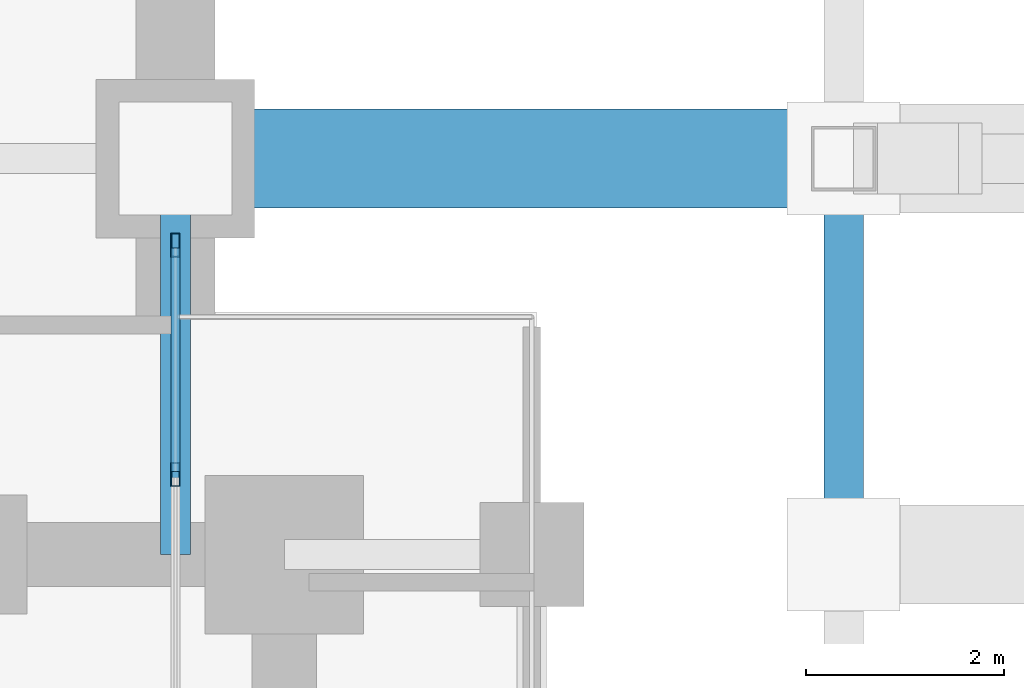
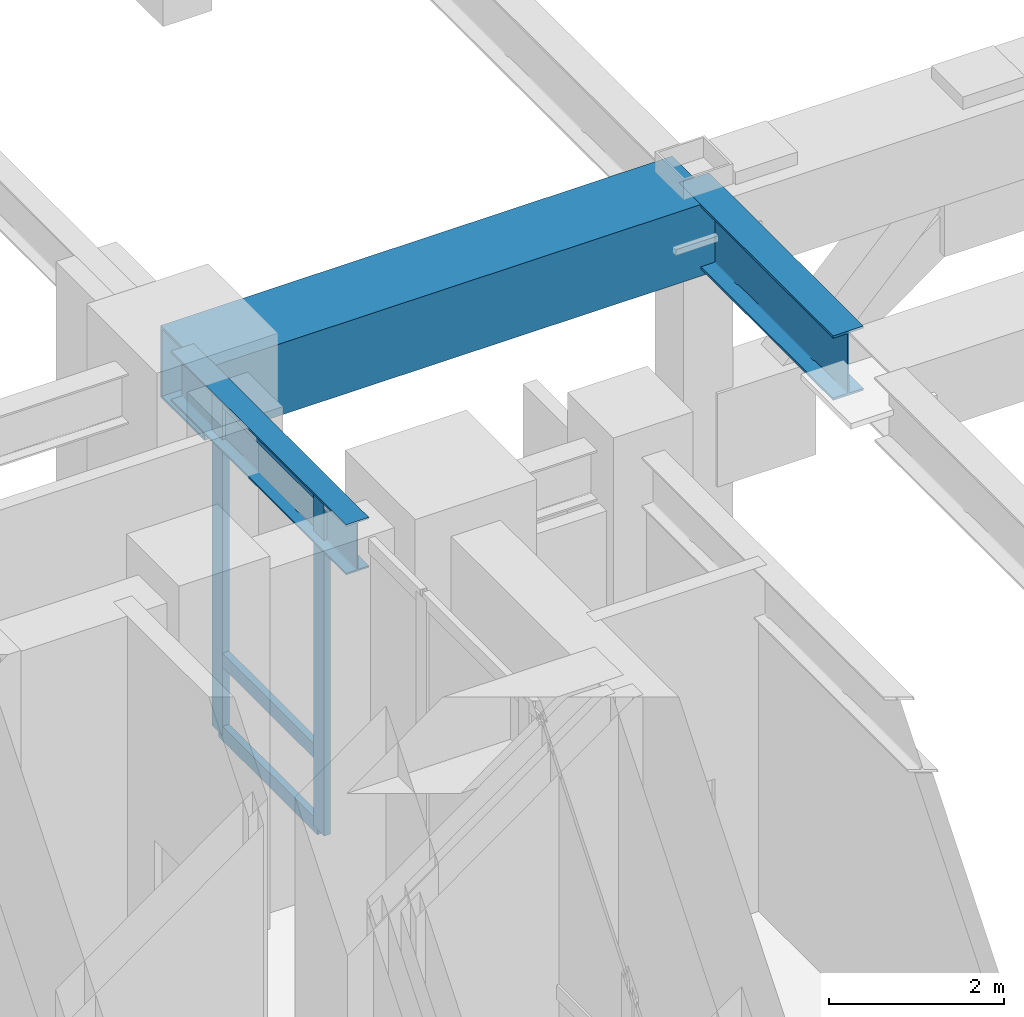
# One storey, part 10 of 26: 5 members, 3 beams, 1 element without a shape of its own.
"""IFC4 building model written with IfcOpenShell, lengths in metres."""

from ifc_helpers import new_model, si_unit, direction, frame, origin, origin_2d, place, context, subcontext, project, spatial, hollow_rectangle, i_section, extrude, material, layer, layer_set, material_profile, profile_set, type_object, element, aggregate, save


model = new_model("IFC4")

# Units and contexts
model_context = context("Model", 3, precision=1e-05, world=origin(), true_north=direction((0.0, 1.0)))
body_context = subcontext(model_context, "Body", "Model", "MODEL_VIEW")
ifc_project = project(units=[si_unit("LENGTHUNIT", "METRE"), si_unit("AREAUNIT", "SQUARE_METRE"), si_unit("VOLUMEUNIT", "CUBIC_METRE"), si_unit("PLANEANGLEUNIT", "RADIAN"), si_unit("MASSUNIT", "GRAM", prefix="KILO")], contexts=[model_context])

# Site, building, storey
site_placement = place(None, origin())
site = spatial("IfcSite", under=ifc_project, at=site_placement, CompositionType="ELEMENT")
building_placement = place(site_placement, origin())
building = spatial("IfcBuilding", under=site, at=building_placement, Name="Voryun Gate Residences", CompositionType="ELEMENT")
storey_placement = place(building_placement, frame((0.0, 0.0, 15.60009765625)))
storey = spatial("IfcBuildingStorey", under=building, at=storey_placement, Name="L03", CompositionType="ELEMENT", Elevation=15.60009765625)

# Beams
ifc_material_1 = material(Name="Steel SM420", Category="steel")
ifc_material_profile_1 = material_profile(ifc_material_1, hollow_rectangle(XDim=1.0, YDim=1.0, WallThickness=0.031982421875, at=origin_2d()), Name="BOX-1000x1000x32")
ifc_profile_set_1 = profile_set([ifc_material_profile_1], Name="Steel SM420")
beam_type_1 = type_object("IfcBeamType", Name="BM_ARCH_TIE", PredefinedType="USERDEFINED", material=ifc_profile_set_1)
beam_1_placement = place(storey_placement, frame((-13.5, 11.39990234375, 4.2998046875), z_axis=(1.0, 0.0, 0.0), x_axis=(0.0, 1.0, 0.0)))
element("IfcBeam", 1, at=beam_1_placement, inside=storey, type_object=beam_type_1, Name="Parabolic Tied-Arch Tie Girder N Bay 1", ObjectType="GIRDER", PredefinedType="USERDEFINED", context=body_context, shape_type="SweptSolid", body=[
    extrude(hollow_rectangle(XDim=1.0, YDim=1.0, WallThickness=0.031982421875, at=origin_2d()), origin(), (0.0, 0.0, 1.0), 6.75),
])
ifc_material_2 = material(Name="Steel SM355", Category="steel")
ifc_material_profile_2 = material_profile(ifc_material_2, i_section(OverallWidth=0.300048828125, OverallDepth=0.699951171875, WebThickness=0.012939453125, FlangeThickness=0.02392578125, FilletRadius=0.01806640625, at=origin_2d()), Name="H-700x300x13x24")
ifc_profile_set_2 = profile_set([ifc_material_profile_2], Name="Steel SM355")
beam_type_2 = type_object("IfcBeamType", Name="BM_GIRD_700", PredefinedType="USERDEFINED", material=ifc_profile_set_2)
beam_2_placement = place(storey_placement, frame((-13.5, 7.39990234375, 4.449951171875), z_axis=(0.0, 1.0, 0.0), x_axis=(-1.0, 0.0, 0.0)))
element("IfcBeam", 2, at=beam_2_placement, inside=storey, type_object=beam_type_2, Name="BM-L03-PWYA-+7.4", ObjectType="GIRDER", PredefinedType="USERDEFINED", context=body_context, shape_type="SweptSolid", body=[
    extrude(i_section(OverallWidth=0.300048828125, OverallDepth=0.699951171875, WebThickness=0.012939453125, FlangeThickness=0.02392578125, FilletRadius=0.01806640625, at=origin_2d()), origin(), (0.0, 0.0, 1.0), 4.0),
])
ifc_material_3 = material(Name="Steel SM420", Category="steel")
ifc_material_profile_3 = material_profile(ifc_material_3, i_section(OverallWidth=0.39990234375, OverallDepth=0.89990234375, WebThickness=0.01806640625, FlangeThickness=0.031982421875, FilletRadius=0.01806640625, at=origin_2d()), Name="H-900x400x18x32")
ifc_profile_set_3 = profile_set([ifc_material_profile_3], Name="Steel SM420")
beam_type_3 = type_object("IfcBeamType", Name="BM_POD_TRUSS_CHD", PredefinedType="USERDEFINED", material=ifc_profile_set_3)
beam_3_placement = place(storey_placement, frame((-6.75, 7.875, 4.349853515625), z_axis=(0.0, 1.0, 0.0), x_axis=(-1.0, 0.0, 0.0)))
element("IfcBeam", 3, at=beam_3_placement, inside=storey, type_object=beam_type_3, Name="BM-L03-ARCH-XDECK-NS--6.75", ObjectType="GIRDER", PredefinedType="USERDEFINED", context=body_context, shape_type="SweptSolid", body=[
    extrude(i_section(OverallWidth=0.39990234375, OverallDepth=0.89990234375, WebThickness=0.01806640625, FlangeThickness=0.031982421875, FilletRadius=0.01806640625, at=origin_2d()), origin(), (0.0, 0.0, 1.0), 3.52490234375),
])

# Curtain wall, members
ifc_material_4 = material(Name="Anodised aluminium", Category="aluminium")
ifc_layer = layer(ifc_material_4, 0.239990234375, Name="CW_SYS_ARCH_DARK_GLASS")
ifc_layer_set = layer_set([ifc_layer], Name="Anodised aluminium")
curtain_wall_type = type_object("IfcCurtainWallType", Name="CW_SYS_ARCH_DARK_GLASS", PredefinedType="NOTDEFINED", material=ifc_layer_set)
curtain_wall_placement = place(storey_placement, origin())
curtain_wall = element("IfcCurtainWall", 4, at=curtain_wall_placement, inside=storey, type_object=curtain_wall_type, Name="Curtain wall CW2-L03-WP-M", PredefinedType="NOTDEFINED")
ifc_material_5 = material(Name="Anodised aluminium", Category="aluminium")
ifc_material_profile_4 = material_profile(ifc_material_5, hollow_rectangle(XDim=0.090087890625, YDim=0.239990234375, WallThickness=0.006103515625, at=origin_2d()), Name="ALU-MULL-240x90x6")
ifc_profile_set_4 = profile_set([ifc_material_profile_4], Name="Anodised aluminium")
member_type_1 = type_object("IfcMemberType", Name="CW_MULL_ARCH", PredefinedType="MULLION", material=ifc_profile_set_4)
member_1_placement = place(storey_placement, frame((-13.5, 8.20947265625, 0.0), z_axis=(0.0, 0.0, 1.0), x_axis=(-1.0, 0.0, 0.0)))
member_1 = element("IfcMember", 5, at=member_1_placement, type_object=member_type_1, Name="CW2 mullion 9", PredefinedType="MULLION", context=body_context, shape_type="SweptSolid", body=[
    extrude(hollow_rectangle(XDim=0.090087890625, YDim=0.239990234375, WallThickness=0.006103515625, at=origin_2d()), origin(), (0.0, 0.0, 1.0), 4.699951171875),
])
member_2_placement = place(storey_placement, frame((-13.5, 10.52490234375, 0.0), z_axis=(0.0, 0.0, 1.0), x_axis=(-1.0, 0.0, 0.0)))
member_2 = element("IfcMember", 6, at=member_2_placement, type_object=member_type_1, Name="CW2 mullion 10", PredefinedType="MULLION", context=body_context, shape_type="SweptSolid", body=[
    extrude(hollow_rectangle(XDim=0.090087890625, YDim=0.239990234375, WallThickness=0.006103515625, at=origin_2d()), origin(), (0.0, 0.0, 1.0), 4.699951171875),
])
ifc_material_6 = material(Name="Anodised aluminium", Category="aluminium")
ifc_material_profile_5 = material_profile(ifc_material_6, hollow_rectangle(XDim=0.090087890625, YDim=0.199951171875, WallThickness=0.006103515625, at=origin_2d()), Name="ALU-TRAN-200x90x6")
ifc_profile_set_5 = profile_set([ifc_material_profile_5], Name="Anodised aluminium")
member_type_2 = type_object("IfcMemberType", Name="CW_TRAN_ARCH", PredefinedType="USERDEFINED", material=ifc_profile_set_5)
member_3_placement = place(storey_placement, frame((-13.5, 8.239501953125, 0.02978515625), z_axis=(0.0, 1.0, 0.0), x_axis=(-1.0, 0.0, 0.0)))
member_3 = element("IfcMember", 7, at=member_3_placement, type_object=member_type_2, Name="CW2 transom 9.1", ObjectType="TRANSOM", PredefinedType="USERDEFINED", context=body_context, shape_type="SweptSolid", body=[
    extrude(hollow_rectangle(XDim=0.090087890625, YDim=0.199951171875, WallThickness=0.006103515625, at=origin_2d()), origin(), (0.0, 0.0, 1.0), 2.255615234375),
])
member_4_placement = place(storey_placement, frame((-13.5, 8.239501953125, 1.0498046875), z_axis=(0.0, 1.0, 0.0), x_axis=(-1.0, 0.0, 0.0)))
member_4 = element("IfcMember", 8, at=member_4_placement, type_object=member_type_2, Name="CW2 transom 9.2", ObjectType="TRANSOM", PredefinedType="USERDEFINED", context=body_context, shape_type="SweptSolid", body=[
    extrude(hollow_rectangle(XDim=0.090087890625, YDim=0.199951171875, WallThickness=0.006103515625, at=origin_2d()), origin(), (0.0, 0.0, 1.0), 2.255615234375),
])
member_5_placement = place(storey_placement, frame((-13.5, 8.239501953125, 4.669921875), z_axis=(0.0, 1.0, 0.0), x_axis=(-1.0, 0.0, 0.0)))
member_5 = element("IfcMember", 9, at=member_5_placement, type_object=member_type_2, Name="CW2 transom 9.3", ObjectType="TRANSOM", PredefinedType="USERDEFINED", context=body_context, shape_type="SweptSolid", body=[
    extrude(hollow_rectangle(XDim=0.090087890625, YDim=0.199951171875, WallThickness=0.006103515625, at=origin_2d()), origin(), (0.0, 0.0, 1.0), 2.255615234375),
])
aggregate(curtain_wall, [member_1, member_2, member_3, member_4, member_5])

save(model, "model.ifc")
